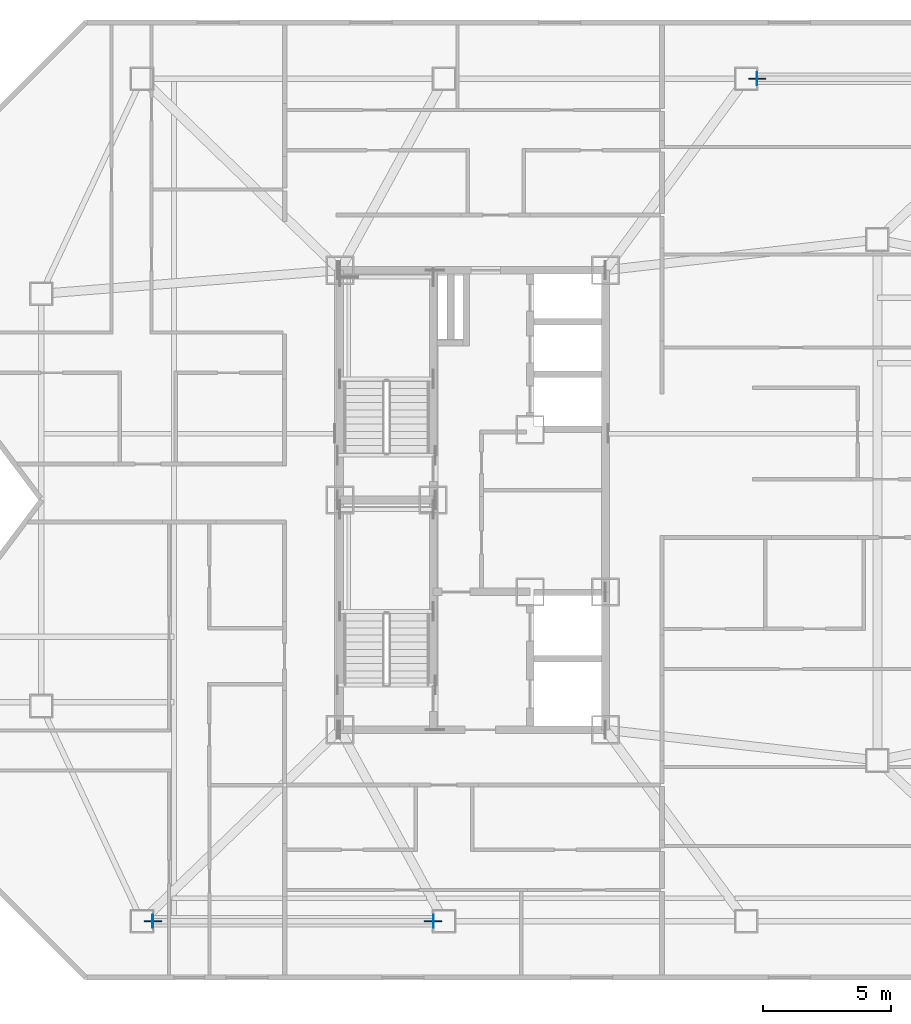
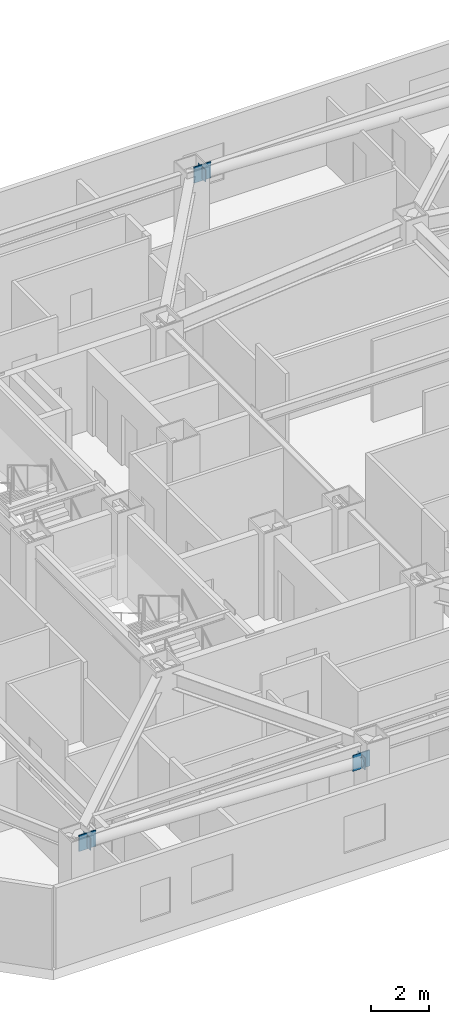
# One storey, part 3 of 11: 6 plates.
"""IFC4 building model written with IfcOpenShell, lengths in metres."""

from ifc_helpers import new_model, si_unit, direction, frame, origin, origin_2d, place, context, subcontext, project, spatial, rectangle, extrude, material, layer, layer_set, type_object, element, save


model = new_model("IFC4")

# Units and contexts
model_context = context("Model", 3, precision=1e-05, world=origin(), true_north=direction((0.0, 1.0)))
body_context = subcontext(model_context, "Body", "Model", "MODEL_VIEW")
ifc_project = project(units=[si_unit("LENGTHUNIT", "METRE"), si_unit("AREAUNIT", "SQUARE_METRE"), si_unit("VOLUMEUNIT", "CUBIC_METRE"), si_unit("PLANEANGLEUNIT", "RADIAN"), si_unit("MASSUNIT", "GRAM", prefix="KILO")], contexts=[model_context])

# Site, building, storey
site_placement = place(None, origin())
site = spatial("IfcSite", under=ifc_project, at=site_placement, CompositionType="ELEMENT")
building_placement = place(site_placement, origin())
building = spatial("IfcBuilding", under=site, at=building_placement, Name="Khamvora Tower", CompositionType="ELEMENT")
storey_placement = place(building_placement, frame((0.0, 0.0, 155.89990234375)))
storey = spatial("IfcBuildingStorey", under=building, at=storey_placement, Name="L39", CompositionType="ELEMENT", Elevation=155.89990234375)

# Plates
ifc_material_1 = material(Name="Steel S355", Category="steel")
ifc_layer_1 = layer(ifc_material_1, 0.02490234375)
ifc_layer_set_1 = layer_set([ifc_layer_1], Name="Steel S355")
plate_type_1 = type_object("IfcPlateType", Name="PL-CAP-25", PredefinedType="SHEET", material=ifc_layer_set_1)
for number, where, z_axis, x_axis, name in (
    (1, (32.6650390625, 11.5, 2.4384765625), (0.0, 0.0, 1.0), (-1.0, 0.0, 0.0), "L39 hollow section steel end cap plate 0936"),
    (2, (21.66796875, 11.5, 2.886474609375), (0.0, 0.0, 1.0), (-1.0, 0.0, 0.0), "L39 hollow section steel end cap plate 0937"),
    (3, (45.3349609375, 44.5, 2.886474609375), (0.0, 0.0, 1.0), (-1.0, 0.0, 0.0), "L39 hollow section steel end cap plate 0939"),
):
    element("IfcPlate", number, at=place(storey_placement, frame(where, z_axis=z_axis, x_axis=x_axis)), inside=storey, type_object=plate_type_1, Name=name, PredefinedType="SHEET", context=body_context, shape_type="SweptSolid", body=[
        extrude(rectangle(XDim=0.02490234375, YDim=0.51708984375, at=origin_2d()), origin(), (0.0, 0.0, 1.0), 0.51708984375),
    ])
ifc_material_2 = material(Name="Steel S460", Category="steel")
ifc_layer_2 = layer(ifc_material_2, 0.0400390625)
ifc_layer_set_2 = layer_set([ifc_layer_2], Name="Steel S460")
plate_type_2 = type_object("IfcPlateType", Name="PLT-GUS-40", PredefinedType="SHEET", material=ifc_layer_set_2)
for number, where, z_axis, x_axis, name in (
    (4, (32.653076171875, 11.5, 2.35791015625), (0.0, 0.0, 1.0), (1.0, 0.0, 0.0), "L39 brace connection node gusset plate 0273"),
    (5, (21.679931640625, 11.5, 2.80419921875), (0.0, 0.0, 1.0), (1.0, 0.0, 0.0), "L39 brace connection node gusset plate 0274"),
    (6, (45.346923828125, 44.5, 2.80419921875), (0.0, 0.0, 1.0), (1.0, 0.0, 0.0), "L39 brace connection node gusset plate 0276"),
):
    element("IfcPlate", number, at=place(storey_placement, frame(where, z_axis=z_axis, x_axis=x_axis)), inside=storey, type_object=plate_type_2, Name=name, PredefinedType="SHEET", context=body_context, shape_type="SweptSolid", body=[
        extrude(rectangle(XDim=0.679931640625, YDim=0.0400390625, at=origin_2d()), origin(), (0.0, 0.0, 1.0), 0.679931640625),
    ])

save(model, "model.ifc")
